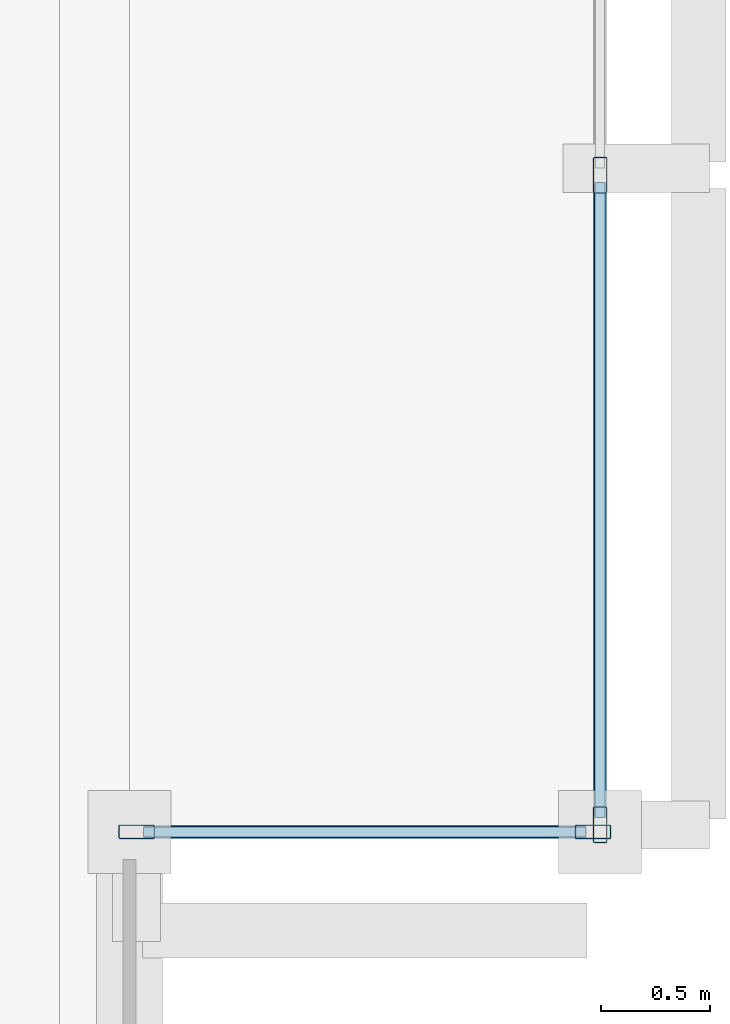
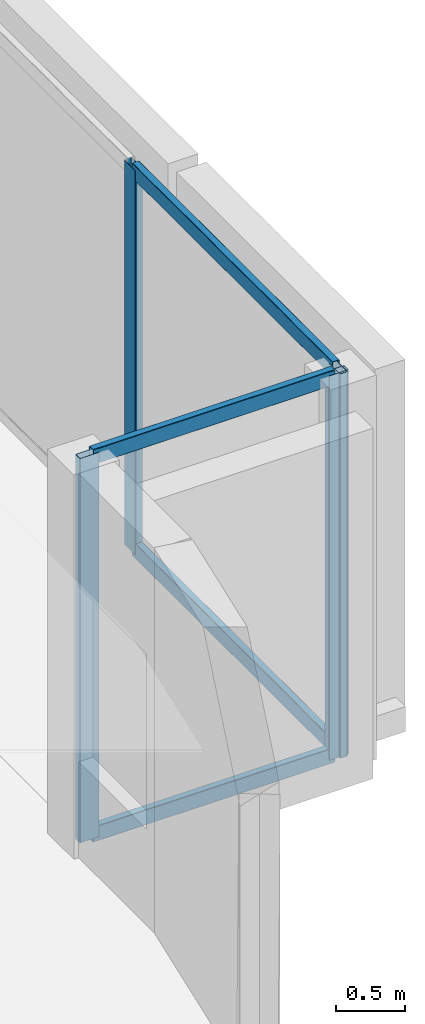
# One storey, part 4 of 14: 8 members, 2 elements without a shape of their own.
"""IFC4 building model written with IfcOpenShell, lengths in metres."""

from ifc_helpers import new_model, si_unit, direction, frame, origin, origin_2d, place, context, subcontext, project, spatial, hollow_rectangle, extrude, material, layer, layer_set, material_profile, profile_set, type_object, element, aggregate, save


model = new_model("IFC4")

# Units and contexts
model_context = context("Model", 3, precision=1e-05, world=origin(), true_north=direction((0.0, 1.0)))
body_context = subcontext(model_context, "Body", "Model", "MODEL_VIEW")
ifc_project = project(units=[si_unit("LENGTHUNIT", "METRE"), si_unit("AREAUNIT", "SQUARE_METRE"), si_unit("VOLUMEUNIT", "CUBIC_METRE"), si_unit("PLANEANGLEUNIT", "RADIAN"), si_unit("MASSUNIT", "GRAM", prefix="KILO")], contexts=[model_context])

# Site, building, storey
site_placement = place(None, origin())
site = spatial("IfcSite", under=ifc_project, at=site_placement, CompositionType="ELEMENT")
building_placement = place(site_placement, origin())
building = spatial("IfcBuilding", under=site, at=building_placement, Name="An Khanh Terracotta Commons", CompositionType="ELEMENT")
storey_placement = place(building_placement, frame((0.0, 0.0, 240.89990234375)))
storey = spatial("IfcBuildingStorey", under=building, at=storey_placement, Name="L63", CompositionType="ELEMENT", Elevation=240.89990234375)

# Curtain wall, members
ifc_material = material(Name="Anodised Aluminium 6063-T6", Category="aluminium")
ifc_layer = layer(ifc_material, 0.239990234375, Name="Anodised Aluminium 6063-T6")
ifc_layer_set = layer_set([ifc_layer], Name="Anodised Aluminium 6063-T6")
curtain_wall_type = type_object("IfcCurtainWallType", Name="CW-SYS-04", PredefinedType="USERDEFINED", material=ifc_layer_set)
curtain_wall_1_placement = place(storey_placement, origin())
curtain_wall_1 = element("IfcCurtainWall", 1, at=curtain_wall_1_placement, inside=storey, type_object=curtain_wall_type, Name="L63 CW-04 Unitised Curtain Wall CW-L63-EBOX-1", ObjectType="UNITISED CURTAIN WALL", PredefinedType="USERDEFINED")
ifc_material_profile_1 = material_profile(ifc_material, hollow_rectangle(XDim=0.06494140625, YDim=0.1650390625, WallThickness=0.00390625, InnerFilletRadius=0.00390625, OuterFilletRadius=0.008056640625, at=origin_2d()), Name="RHS165x65x4")
ifc_profile_set_1 = profile_set([ifc_material_profile_1], Name="Anodised Aluminium 6063-T6")
member_type_1 = type_object("IfcMemberType", Name="CWM-RHS165x65x4", PredefinedType="MULLION", material=ifc_profile_set_1)
member_1_placement = place(storey_placement, frame((70.75, 19.4326171875, 0.0), z_axis=(0.0, 0.0, 1.0), x_axis=(-1.0, 0.0, 0.0)))
member_1 = element("IfcMember", 2, at=member_1_placement, type_object=member_type_1, Name="CW-04 mullion 1", PredefinedType="MULLION", context=body_context, shape_type="SweptSolid", body=[
    extrude(hollow_rectangle(XDim=0.06494140625, YDim=0.1650390625, WallThickness=0.00390625, InnerFilletRadius=0.00390625, OuterFilletRadius=0.008056640625, at=origin_2d()), origin(), (0.0, 0.0, 1.0), 3.400146484375),
])
member_2_placement = place(storey_placement, frame((70.75, 22.39990234375, 0.0), z_axis=(0.0, 0.0, 1.0), x_axis=(-1.0, 0.0, 0.0)))
member_2 = element("IfcMember", 3, at=member_2_placement, type_object=member_type_1, Name="CW-04 mullion 2", PredefinedType="MULLION", context=body_context, shape_type="SweptSolid", body=[
    extrude(hollow_rectangle(XDim=0.06494140625, YDim=0.1650390625, WallThickness=0.00390625, InnerFilletRadius=0.00390625, OuterFilletRadius=0.008056640625, at=origin_2d()), origin(), (0.0, 0.0, 1.0), 3.400146484375),
])

curtain_wall_2_placement = place(storey_placement, origin())
curtain_wall_2 = element("IfcCurtainWall", 4, at=curtain_wall_2_placement, inside=storey, type_object=curtain_wall_type, Name="L63 CW-04 Unitised Curtain Wall CW-L63-EBOX-2", ObjectType="UNITISED CURTAIN WALL", PredefinedType="USERDEFINED")
member_3_placement = place(storey_placement, frame((68.632568359375, 19.39990234375, 0.0), z_axis=(0.0, 0.0, 1.0), x_axis=(0.0, 1.0, 0.0)))
member_3 = element("IfcMember", 5, at=member_3_placement, type_object=member_type_1, Name="CW-04 mullion 1", PredefinedType="MULLION", context=body_context, shape_type="SweptSolid", body=[
    extrude(hollow_rectangle(XDim=0.06494140625, YDim=0.1650390625, WallThickness=0.00390625, InnerFilletRadius=0.00390625, OuterFilletRadius=0.008056640625, at=origin_2d()), origin(), (0.0, 0.0, 1.0), 3.400146484375),
])
member_4_placement = place(storey_placement, frame((70.717529296875, 19.39990234375, 0.0), z_axis=(0.0, 0.0, 1.0), x_axis=(0.0, 1.0, 0.0)))
member_4 = element("IfcMember", 6, at=member_4_placement, type_object=member_type_1, Name="CW-04 mullion 2", PredefinedType="MULLION", context=body_context, shape_type="SweptSolid", body=[
    extrude(hollow_rectangle(XDim=0.06494140625, YDim=0.1650390625, WallThickness=0.00390625, InnerFilletRadius=0.00390625, OuterFilletRadius=0.008056640625, at=origin_2d()), origin(), (0.0, 0.0, 1.0), 3.400146484375),
])

# Member
ifc_material_profile_2 = material_profile(ifc_material, hollow_rectangle(XDim=0.06005859375, YDim=0.135009765625, WallThickness=0.003662109375, InnerFilletRadius=0.003662109375, OuterFilletRadius=0.007080078125, at=origin_2d()), Name="RHS135x60x3.6")
ifc_profile_set_2 = profile_set([ifc_material_profile_2], Name="Anodised Aluminium 6063-T6")
member_type_2 = type_object("IfcMemberType", Name="CWT-RHS135x60x3.6", PredefinedType="USERDEFINED", material=ifc_profile_set_2)
member_5_placement = place(storey_placement, frame((70.75, 19.465087890625, 0.030029296875), z_axis=(0.0, 1.0, 0.0), x_axis=(-1.0, 0.0, 0.0)))
member_5 = element("IfcMember", 7, at=member_5_placement, type_object=member_type_2, Name="CW-04 transom 1.1", ObjectType="TRANSOM", PredefinedType="USERDEFINED", context=body_context, shape_type="SweptSolid", body=[
    extrude(hollow_rectangle(XDim=0.06005859375, YDim=0.135009765625, WallThickness=0.003662109375, InnerFilletRadius=0.003662109375, OuterFilletRadius=0.007080078125, at=origin_2d()), origin(), (0.0, 0.0, 1.0), 2.90234375),
])

member_6_placement = place(storey_placement, frame((70.75, 19.465087890625, 3.3701171875), z_axis=(0.0, 1.0, 0.0), x_axis=(-1.0, 0.0, 0.0)))
member_6 = element("IfcMember", 8, at=member_6_placement, type_object=member_type_2, Name="CW-04 transom 1.2", ObjectType="TRANSOM", PredefinedType="USERDEFINED", context=body_context, shape_type="SweptSolid", body=[
    extrude(hollow_rectangle(XDim=0.06005859375, YDim=0.135009765625, WallThickness=0.003662109375, InnerFilletRadius=0.003662109375, OuterFilletRadius=0.007080078125, at=origin_2d()), origin(), (0.0, 0.0, 1.0), 2.90234375),
])

aggregate(curtain_wall_1, [member_1, member_2, member_5, member_6])

member_7_placement = place(storey_placement, frame((68.6650390625, 19.39990234375, 0.030029296875), z_axis=(1.0, 0.0, 0.0), x_axis=(0.0, 1.0, 0.0)))
member_7 = element("IfcMember", 9, at=member_7_placement, type_object=member_type_2, Name="CW-04 transom 1.1", ObjectType="TRANSOM", PredefinedType="USERDEFINED", context=body_context, shape_type="SweptSolid", body=[
    extrude(hollow_rectangle(XDim=0.06005859375, YDim=0.135009765625, WallThickness=0.003662109375, InnerFilletRadius=0.003662109375, OuterFilletRadius=0.007080078125, at=origin_2d()), origin(), (0.0, 0.0, 1.0), 2.02001953125),
])

member_8_placement = place(storey_placement, frame((68.6650390625, 19.39990234375, 3.3701171875), z_axis=(1.0, 0.0, 0.0), x_axis=(0.0, 1.0, 0.0)))
member_8 = element("IfcMember", 10, at=member_8_placement, type_object=member_type_2, Name="CW-04 transom 1.2", ObjectType="TRANSOM", PredefinedType="USERDEFINED", context=body_context, shape_type="SweptSolid", body=[
    extrude(hollow_rectangle(XDim=0.06005859375, YDim=0.135009765625, WallThickness=0.003662109375, InnerFilletRadius=0.003662109375, OuterFilletRadius=0.007080078125, at=origin_2d()), origin(), (0.0, 0.0, 1.0), 2.02001953125),
])

aggregate(curtain_wall_2, [member_3, member_4, member_7, member_8])

save(model, "model.ifc")
